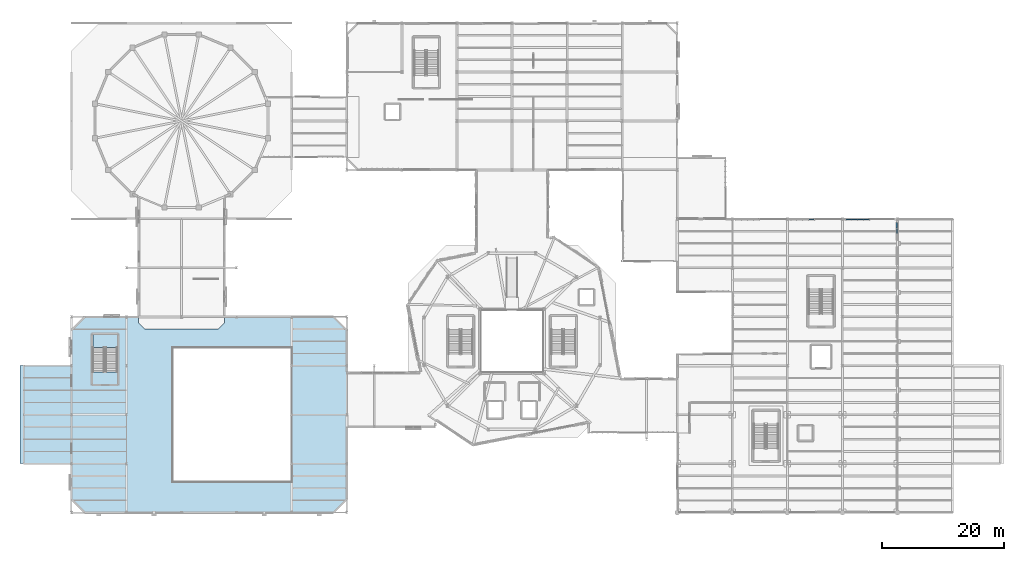
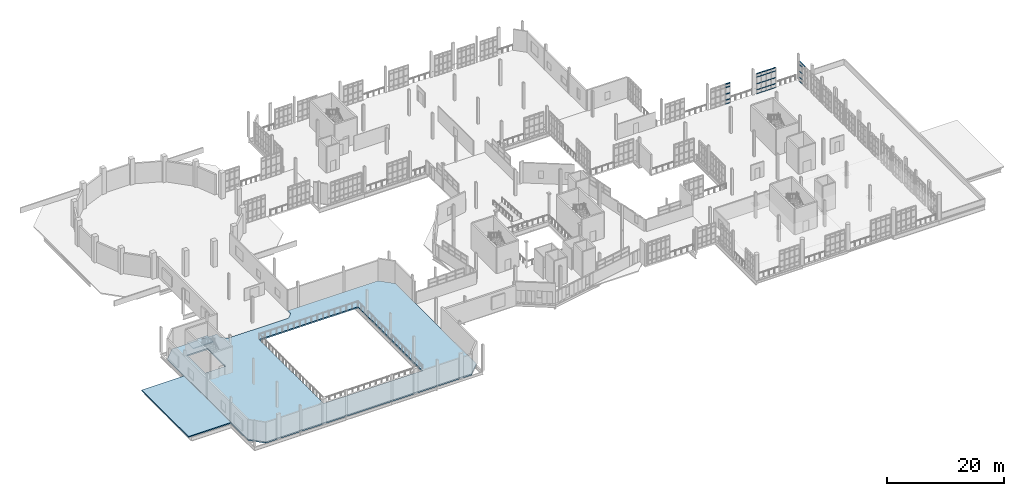
# One storey, part 102 of 142: 31 members, 3 slabs, 4 elements without a shape of their own.
"""IFC4 building model written with IfcOpenShell, lengths in metres."""

from ifc_helpers import new_model, si_unit, direction, frame, origin, origin_2d, place, context, subcontext, project, spatial, polyline, hollow_rectangle, outline, extrude, material, layer, layer_set, material_profile, profile_set, type_object, element, aggregate, save


model = new_model("IFC4")

# Units and contexts
model_context = context("Model", 3, precision=1e-05, world=origin(), true_north=direction((0.0, 1.0)))
body_context = subcontext(model_context, "Body", "Model", "MODEL_VIEW")
ifc_project = project(units=[si_unit("LENGTHUNIT", "METRE"), si_unit("AREAUNIT", "SQUARE_METRE"), si_unit("VOLUMEUNIT", "CUBIC_METRE"), si_unit("PLANEANGLEUNIT", "RADIAN"), si_unit("MASSUNIT", "GRAM", prefix="KILO"), si_unit("THERMODYNAMICTEMPERATUREUNIT", "KELVIN"), si_unit("POWERUNIT", "WATT")], contexts=[model_context])

# Site, building, storey
site_placement = place(None, origin())
site = spatial("IfcSite", under=ifc_project, at=site_placement, CompositionType="ELEMENT")
building_placement = place(site_placement, origin())
building = spatial("IfcBuilding", under=site, at=building_placement, Name="Zelmaris Science Centre", CompositionType="ELEMENT")
storey_placement = place(building_placement, frame((0.0, 0.0, 5.39990234375)))
storey = spatial("IfcBuildingStorey", under=building, at=storey_placement, Name="L01", CompositionType="ELEMENT", Elevation=5.39990234375)

# Curtain wall, members
ifc_material_1 = material(Name="Anodised architectural aluminium 6063-T6", Category="aluminium")
ifc_layer_1 = layer(ifc_material_1, 0.2099609375, Name="Anodised architectural aluminium 6063-T6")
ifc_layer_set_1 = layer_set([ifc_layer_1], Name="Anodised architectural aluminium 6063-T6")
curtain_wall_type_1 = type_object("IfcCurtainWallType", Name="Curtain Wall CW-03", PredefinedType="USERDEFINED", material=ifc_layer_set_1)
curtain_wall_1_placement = place(storey_placement, origin())
curtain_wall_1 = element("IfcCurtainWall", 1, at=curtain_wall_1_placement, inside=storey, type_object=curtain_wall_type_1, Name="L01 Unitised curtain wall 147", ObjectType="GLAZED CURTAIN WALL", PredefinedType="USERDEFINED")
ifc_material_profile_1 = material_profile(ifc_material_1, hollow_rectangle(XDim=0.06494140625, YDim=0.1298828125, WallThickness=0.00341796875, at=origin_2d()), Name="ALU-TRN-65X130")
ifc_profile_set_1 = profile_set([ifc_material_profile_1], Name="Anodised architectural aluminium 6063-T6")
member_type_1 = type_object("IfcMemberType", Name="ALU-TRN-65X130", PredefinedType="USERDEFINED", material=ifc_profile_set_1)
member_1_placement = place(storey_placement, frame((135.596923828125, 55.884033203125, 0.013671875), z_axis=(0.999999849301, -0.000548997996, 0.0), x_axis=(0.0, 0.0, 1.0)))
member_1 = element("IfcMember", 2, at=member_1_placement, type_object=member_type_1, Name="CW-03 transom 1.1", ObjectType="TRANSOM", PredefinedType="USERDEFINED", context=body_context, shape_type="SweptSolid", body=[
    extrude(hollow_rectangle(XDim=0.06494140625, YDim=0.1298828125, WallThickness=0.00341796875, at=origin_2d()), origin(), (0.0, 0.0, 1.0), 0.889404296875),
])
member_2_placement = place(storey_placement, frame((135.596923828125, 55.884033203125, 0.835205078125), z_axis=(0.999999849301, -0.000548997996, 0.0), x_axis=(0.0, 0.0, 1.0)))
member_2 = element("IfcMember", 3, at=member_2_placement, type_object=member_type_1, Name="CW-03 transom 1.2", ObjectType="TRANSOM", PredefinedType="USERDEFINED", context=body_context, shape_type="SweptSolid", body=[
    extrude(hollow_rectangle(XDim=0.06494140625, YDim=0.1298828125, WallThickness=0.00341796875, at=origin_2d()), origin(), (0.0, 0.0, 1.0), 0.889404296875),
])
member_3_placement = place(storey_placement, frame((135.596923828125, 55.884033203125, 2.085693359375), z_axis=(0.999999849301, -0.000548997996, 0.0), x_axis=(0.0, 0.0, 1.0)))
member_3 = element("IfcMember", 4, at=member_3_placement, type_object=member_type_1, Name="CW-03 transom 1.3", ObjectType="TRANSOM", PredefinedType="USERDEFINED", context=body_context, shape_type="SweptSolid", body=[
    extrude(hollow_rectangle(XDim=0.06494140625, YDim=0.1298828125, WallThickness=0.00341796875, at=origin_2d()), origin(), (0.0, 0.0, 1.0), 0.889404296875),
])
member_4_placement = place(storey_placement, frame((135.596923828125, 55.884033203125, 3.486083984375), z_axis=(0.999999849301, -0.000548997996, 0.0), x_axis=(0.0, 0.0, 1.0)))
member_4 = element("IfcMember", 5, at=member_4_placement, type_object=member_type_1, Name="CW-03 transom 1.4", ObjectType="TRANSOM", PredefinedType="USERDEFINED", context=body_context, shape_type="SweptSolid", body=[
    extrude(hollow_rectangle(XDim=0.06494140625, YDim=0.1298828125, WallThickness=0.00341796875, at=origin_2d()), origin(), (0.0, 0.0, 1.0), 0.889404296875),
])
member_5_placement = place(storey_placement, frame((135.596923828125, 55.884033203125, 4.15771484375), z_axis=(0.999999849301, -0.000548997996, 0.0), x_axis=(0.0, 0.0, 1.0)))
member_5 = element("IfcMember", 6, at=member_5_placement, type_object=member_type_1, Name="CW-03 transom 1.5", ObjectType="TRANSOM", PredefinedType="USERDEFINED", context=body_context, shape_type="SweptSolid", body=[
    extrude(hollow_rectangle(XDim=0.06494140625, YDim=0.1298828125, WallThickness=0.00341796875, at=origin_2d()), origin(), (0.0, 0.0, 1.0), 0.889404296875),
])
member_6_placement = place(storey_placement, frame((136.54345703125, 55.883544921875, 0.013671875), z_axis=(0.999999858533, -0.000531914818, 0.0), x_axis=(0.0, 0.0, 1.0)))
member_6 = element("IfcMember", 7, at=member_6_placement, type_object=member_type_1, Name="CW-03 transom 2.1", ObjectType="TRANSOM", PredefinedType="USERDEFINED", context=body_context, shape_type="SweptSolid", body=[
    extrude(hollow_rectangle(XDim=0.06494140625, YDim=0.1298828125, WallThickness=0.00341796875, at=origin_2d()), origin(), (0.0, 0.0, 1.0), 0.91796875),
])
member_7_placement = place(storey_placement, frame((136.54345703125, 55.883544921875, 0.835205078125), z_axis=(0.999999858533, -0.000531914818, 0.0), x_axis=(0.0, 0.0, 1.0)))
member_7 = element("IfcMember", 8, at=member_7_placement, type_object=member_type_1, Name="CW-03 transom 2.2", ObjectType="TRANSOM", PredefinedType="USERDEFINED", context=body_context, shape_type="SweptSolid", body=[
    extrude(hollow_rectangle(XDim=0.06494140625, YDim=0.1298828125, WallThickness=0.00341796875, at=origin_2d()), origin(), (0.0, 0.0, 1.0), 0.91796875),
])
member_8_placement = place(storey_placement, frame((136.54345703125, 55.883544921875, 2.085693359375), z_axis=(0.999999858533, -0.000531914818, 0.0), x_axis=(0.0, 0.0, 1.0)))
member_8 = element("IfcMember", 9, at=member_8_placement, type_object=member_type_1, Name="CW-03 transom 2.3", ObjectType="TRANSOM", PredefinedType="USERDEFINED", context=body_context, shape_type="SweptSolid", body=[
    extrude(hollow_rectangle(XDim=0.06494140625, YDim=0.1298828125, WallThickness=0.00341796875, at=origin_2d()), origin(), (0.0, 0.0, 1.0), 0.91796875),
])
member_9_placement = place(storey_placement, frame((136.54345703125, 55.883544921875, 3.486083984375), z_axis=(0.999999858533, -0.000531914818, 0.0), x_axis=(0.0, 0.0, 1.0)))
member_9 = element("IfcMember", 10, at=member_9_placement, type_object=member_type_1, Name="CW-03 transom 2.4", ObjectType="TRANSOM", PredefinedType="USERDEFINED", context=body_context, shape_type="SweptSolid", body=[
    extrude(hollow_rectangle(XDim=0.06494140625, YDim=0.1298828125, WallThickness=0.00341796875, at=origin_2d()), origin(), (0.0, 0.0, 1.0), 0.91796875),
])
member_10_placement = place(storey_placement, frame((136.54345703125, 55.883544921875, 4.15771484375), z_axis=(0.999999858533, -0.000531914818, 0.0), x_axis=(0.0, 0.0, 1.0)))
member_10 = element("IfcMember", 11, at=member_10_placement, type_object=member_type_1, Name="CW-03 transom 2.5", ObjectType="TRANSOM", PredefinedType="USERDEFINED", context=body_context, shape_type="SweptSolid", body=[
    extrude(hollow_rectangle(XDim=0.06494140625, YDim=0.1298828125, WallThickness=0.00341796875, at=origin_2d()), origin(), (0.0, 0.0, 1.0), 0.91796875),
])
member_11_placement = place(storey_placement, frame((137.518310546875, 55.883056640625, 0.013671875), z_axis=(0.999999858533, -0.000531914818, 0.0), x_axis=(0.0, 0.0, 1.0)))
member_11 = element("IfcMember", 12, at=member_11_placement, type_object=member_type_1, Name="CW-03 transom 3.1", ObjectType="TRANSOM", PredefinedType="USERDEFINED", context=body_context, shape_type="SweptSolid", body=[
    extrude(hollow_rectangle(XDim=0.06494140625, YDim=0.1298828125, WallThickness=0.00341796875, at=origin_2d()), origin(), (0.0, 0.0, 1.0), 0.91796875),
])
member_12_placement = place(storey_placement, frame((137.518310546875, 55.883056640625, 0.835205078125), z_axis=(0.999999858533, -0.000531914818, 0.0), x_axis=(0.0, 0.0, 1.0)))
member_12 = element("IfcMember", 13, at=member_12_placement, type_object=member_type_1, Name="CW-03 transom 3.2", ObjectType="TRANSOM", PredefinedType="USERDEFINED", context=body_context, shape_type="SweptSolid", body=[
    extrude(hollow_rectangle(XDim=0.06494140625, YDim=0.1298828125, WallThickness=0.00341796875, at=origin_2d()), origin(), (0.0, 0.0, 1.0), 0.91796875),
])
member_13_placement = place(storey_placement, frame((137.518310546875, 55.883056640625, 2.085693359375), z_axis=(0.999999858533, -0.000531914818, 0.0), x_axis=(0.0, 0.0, 1.0)))
member_13 = element("IfcMember", 14, at=member_13_placement, type_object=member_type_1, Name="CW-03 transom 3.3", ObjectType="TRANSOM", PredefinedType="USERDEFINED", context=body_context, shape_type="SweptSolid", body=[
    extrude(hollow_rectangle(XDim=0.06494140625, YDim=0.1298828125, WallThickness=0.00341796875, at=origin_2d()), origin(), (0.0, 0.0, 1.0), 0.91796875),
])
member_14_placement = place(storey_placement, frame((137.518310546875, 55.883056640625, 3.486083984375), z_axis=(0.999999858533, -0.000531914818, 0.0), x_axis=(0.0, 0.0, 1.0)))
member_14 = element("IfcMember", 15, at=member_14_placement, type_object=member_type_1, Name="CW-03 transom 3.4", ObjectType="TRANSOM", PredefinedType="USERDEFINED", context=body_context, shape_type="SweptSolid", body=[
    extrude(hollow_rectangle(XDim=0.06494140625, YDim=0.1298828125, WallThickness=0.00341796875, at=origin_2d()), origin(), (0.0, 0.0, 1.0), 0.91796875),
])
member_15_placement = place(storey_placement, frame((137.518310546875, 55.883056640625, 4.15771484375), z_axis=(0.999999858533, -0.000531914818, 0.0), x_axis=(0.0, 0.0, 1.0)))
member_15 = element("IfcMember", 16, at=member_15_placement, type_object=member_type_1, Name="CW-03 transom 3.5", ObjectType="TRANSOM", PredefinedType="USERDEFINED", context=body_context, shape_type="SweptSolid", body=[
    extrude(hollow_rectangle(XDim=0.06494140625, YDim=0.1298828125, WallThickness=0.00341796875, at=origin_2d()), origin(), (0.0, 0.0, 1.0), 0.91796875),
])
member_16_placement = place(storey_placement, frame((138.493408203125, 55.882568359375, 0.013671875), z_axis=(0.999999962325, -0.000274499029, 0.0), x_axis=(0.0, 0.0, 1.0)))
member_16 = element("IfcMember", 17, at=member_16_placement, type_object=member_type_1, Name="CW-03 transom 4.1", ObjectType="TRANSOM", PredefinedType="USERDEFINED", context=body_context, shape_type="SweptSolid", body=[
    extrude(hollow_rectangle(XDim=0.06494140625, YDim=0.1298828125, WallThickness=0.00341796875, at=origin_2d()), origin(), (0.0, 0.0, 1.0), 0.889404296875),
])
member_17_placement = place(storey_placement, frame((138.493408203125, 55.882568359375, 0.835205078125), z_axis=(0.999999962325, -0.000274499029, 0.0), x_axis=(0.0, 0.0, 1.0)))
member_17 = element("IfcMember", 18, at=member_17_placement, type_object=member_type_1, Name="CW-03 transom 4.2", ObjectType="TRANSOM", PredefinedType="USERDEFINED", context=body_context, shape_type="SweptSolid", body=[
    extrude(hollow_rectangle(XDim=0.06494140625, YDim=0.1298828125, WallThickness=0.00341796875, at=origin_2d()), origin(), (0.0, 0.0, 1.0), 0.889404296875),
])
member_18_placement = place(storey_placement, frame((138.493408203125, 55.882568359375, 2.085693359375), z_axis=(0.999999962325, -0.000274499029, 0.0), x_axis=(0.0, 0.0, 1.0)))
member_18 = element("IfcMember", 19, at=member_18_placement, type_object=member_type_1, Name="CW-03 transom 4.3", ObjectType="TRANSOM", PredefinedType="USERDEFINED", context=body_context, shape_type="SweptSolid", body=[
    extrude(hollow_rectangle(XDim=0.06494140625, YDim=0.1298828125, WallThickness=0.00341796875, at=origin_2d()), origin(), (0.0, 0.0, 1.0), 0.889404296875),
])
member_19_placement = place(storey_placement, frame((138.493408203125, 55.882568359375, 3.486083984375), z_axis=(0.999999962325, -0.000274499029, 0.0), x_axis=(0.0, 0.0, 1.0)))
member_19 = element("IfcMember", 20, at=member_19_placement, type_object=member_type_1, Name="CW-03 transom 4.4", ObjectType="TRANSOM", PredefinedType="USERDEFINED", context=body_context, shape_type="SweptSolid", body=[
    extrude(hollow_rectangle(XDim=0.06494140625, YDim=0.1298828125, WallThickness=0.00341796875, at=origin_2d()), origin(), (0.0, 0.0, 1.0), 0.889404296875),
])
member_20_placement = place(storey_placement, frame((138.493408203125, 55.882568359375, 4.15771484375), z_axis=(0.999999962325, -0.000274499029, 0.0), x_axis=(0.0, 0.0, 1.0)))
member_20 = element("IfcMember", 21, at=member_20_placement, type_object=member_type_1, Name="CW-03 transom 4.5", ObjectType="TRANSOM", PredefinedType="USERDEFINED", context=body_context, shape_type="SweptSolid", body=[
    extrude(hollow_rectangle(XDim=0.06494140625, YDim=0.1298828125, WallThickness=0.00341796875, at=origin_2d()), origin(), (0.0, 0.0, 1.0), 0.889404296875),
])
aggregate(curtain_wall_1, [member_1, member_2, member_3, member_4, member_5, member_6, member_7, member_8, member_9, member_10, member_11, member_12, member_13, member_14, member_15, member_16, member_17, member_18, member_19, member_20])

ifc_layer_2 = layer(ifc_material_1, 0.18994140625, Name="Anodised architectural aluminium 6063-T6")
ifc_layer_set_2 = layer_set([ifc_layer_2], Name="Anodised architectural aluminium 6063-T6")
curtain_wall_type_2 = type_object("IfcCurtainWallType", Name="Curtain Wall CW-01", PredefinedType="USERDEFINED", material=ifc_layer_set_2)
curtain_wall_2_placement = place(storey_placement, origin())
curtain_wall_2 = element("IfcCurtainWall", 22, at=curtain_wall_2_placement, inside=storey, type_object=curtain_wall_type_2, Name="L01 Unitised curtain wall 145", ObjectType="GLAZED CURTAIN WALL", PredefinedType="USERDEFINED")
ifc_material_profile_2 = material_profile(ifc_material_1, hollow_rectangle(XDim=0.080078125, YDim=0.18994140625, WallThickness=0.00439453125, at=origin_2d()), Name="ALU-TRN-80X190")
ifc_profile_set_2 = profile_set([ifc_material_profile_2], Name="Anodised architectural aluminium 6063-T6")
member_type_2 = type_object("IfcMemberType", Name="ALU-TRN-80X190", PredefinedType="USERDEFINED", material=ifc_profile_set_2)
member_21_placement = place(storey_placement, frame((129.5009765625, 55.886962890625, 0.02099609375), z_axis=(0.999999960348, -0.000281610803, 0.0), x_axis=(0.0, 0.0, 1.0)))
member_21 = element("IfcMember", 23, at=member_21_placement, type_object=member_type_2, Name="CW-01 transom 4.1", ObjectType="TRANSOM", PredefinedType="USERDEFINED", context=body_context, shape_type="SweptSolid", body=[
    extrude(hollow_rectangle(XDim=0.080078125, YDim=0.18994140625, WallThickness=0.00439453125, at=origin_2d()), origin(), (0.0, 0.0, 1.0), 0.866943359375),
])
member_22_placement = place(storey_placement, frame((129.5009765625, 55.886962890625, 0.835205078125), z_axis=(0.999999960348, -0.000281610803, 0.0), x_axis=(0.0, 0.0, 1.0)))
member_22 = element("IfcMember", 24, at=member_22_placement, type_object=member_type_2, Name="CW-01 transom 4.2", ObjectType="TRANSOM", PredefinedType="USERDEFINED", context=body_context, shape_type="SweptSolid", body=[
    extrude(hollow_rectangle(XDim=0.080078125, YDim=0.18994140625, WallThickness=0.00439453125, at=origin_2d()), origin(), (0.0, 0.0, 1.0), 0.866943359375),
])
member_23_placement = place(storey_placement, frame((129.5009765625, 55.886962890625, 2.0791015625), z_axis=(0.999999960348, -0.000281610803, 0.0), x_axis=(0.0, 0.0, 1.0)))
member_23 = element("IfcMember", 25, at=member_23_placement, type_object=member_type_2, Name="CW-01 transom 4.3", ObjectType="TRANSOM", PredefinedType="USERDEFINED", context=body_context, shape_type="SweptSolid", body=[
    extrude(hollow_rectangle(XDim=0.080078125, YDim=0.18994140625, WallThickness=0.00439453125, at=origin_2d()), origin(), (0.0, 0.0, 1.0), 0.866943359375),
])
member_24_placement = place(storey_placement, frame((129.5009765625, 55.886962890625, 3.47314453125), z_axis=(0.999999960348, -0.000281610803, 0.0), x_axis=(0.0, 0.0, 1.0)))
member_24 = element("IfcMember", 26, at=member_24_placement, type_object=member_type_2, Name="CW-01 transom 4.4", ObjectType="TRANSOM", PredefinedType="USERDEFINED", context=body_context, shape_type="SweptSolid", body=[
    extrude(hollow_rectangle(XDim=0.080078125, YDim=0.18994140625, WallThickness=0.00439453125, at=origin_2d()), origin(), (0.0, 0.0, 1.0), 0.866943359375),
])
member_25_placement = place(storey_placement, frame((129.5009765625, 55.886962890625, 4.13720703125), z_axis=(0.999999960348, -0.000281610803, 0.0), x_axis=(0.0, 0.0, 1.0)))
member_25 = element("IfcMember", 27, at=member_25_placement, type_object=member_type_2, Name="CW-01 transom 4.5", ObjectType="TRANSOM", PredefinedType="USERDEFINED", context=body_context, shape_type="SweptSolid", body=[
    extrude(hollow_rectangle(XDim=0.080078125, YDim=0.18994140625, WallThickness=0.00439453125, at=origin_2d()), origin(), (0.0, 0.0, 1.0), 0.866943359375),
])
aggregate(curtain_wall_2, [member_21, member_22, member_23, member_24, member_25])

curtain_wall_3_placement = place(storey_placement, origin())
curtain_wall_3 = element("IfcCurtainWall", 28, at=curtain_wall_3_placement, inside=storey, type_object=curtain_wall_type_2, Name="L01 Unitised curtain wall 149", ObjectType="GLAZED CURTAIN WALL", PredefinedType="USERDEFINED")
member_26_placement = place(storey_placement, frame((143.8798828125, 55.387939453125, 0.02099609375), z_axis=(0.0, -1.0, 0.0), x_axis=(0.0, 0.0, 1.0)))
member_26 = element("IfcMember", 29, at=member_26_placement, type_object=member_type_2, Name="CW-01 transom 1.1", ObjectType="TRANSOM", PredefinedType="USERDEFINED", context=body_context, shape_type="SweptSolid", body=[
    extrude(hollow_rectangle(XDim=0.080078125, YDim=0.18994140625, WallThickness=0.00439453125, at=origin_2d()), origin(), (0.0, 0.0, 1.0), 0.865234375),
])
member_27_placement = place(storey_placement, frame((143.8798828125, 55.387939453125, 0.835205078125), z_axis=(0.0, -1.0, 0.0), x_axis=(0.0, 0.0, 1.0)))
member_27 = element("IfcMember", 30, at=member_27_placement, type_object=member_type_2, Name="CW-01 transom 1.2", ObjectType="TRANSOM", PredefinedType="USERDEFINED", context=body_context, shape_type="SweptSolid", body=[
    extrude(hollow_rectangle(XDim=0.080078125, YDim=0.18994140625, WallThickness=0.00439453125, at=origin_2d()), origin(), (0.0, 0.0, 1.0), 0.865234375),
])
member_28_placement = place(storey_placement, frame((143.8798828125, 55.387939453125, 2.085693359375), z_axis=(0.0, -1.0, 0.0), x_axis=(0.0, 0.0, 1.0)))
member_28 = element("IfcMember", 31, at=member_28_placement, type_object=member_type_2, Name="CW-01 transom 1.3", ObjectType="TRANSOM", PredefinedType="USERDEFINED", context=body_context, shape_type="SweptSolid", body=[
    extrude(hollow_rectangle(XDim=0.080078125, YDim=0.18994140625, WallThickness=0.00439453125, at=origin_2d()), origin(), (0.0, 0.0, 1.0), 0.865234375),
])
member_29_placement = place(storey_placement, frame((143.8798828125, 55.387939453125, 3.486083984375), z_axis=(0.0, -1.0, 0.0), x_axis=(0.0, 0.0, 1.0)))
member_29 = element("IfcMember", 32, at=member_29_placement, type_object=member_type_2, Name="CW-01 transom 1.4", ObjectType="TRANSOM", PredefinedType="USERDEFINED", context=body_context, shape_type="SweptSolid", body=[
    extrude(hollow_rectangle(XDim=0.080078125, YDim=0.18994140625, WallThickness=0.00439453125, at=origin_2d()), origin(), (0.0, 0.0, 1.0), 0.865234375),
])
member_30_placement = place(storey_placement, frame((143.8798828125, 55.387939453125, 4.150146484375), z_axis=(0.0, -1.0, 0.0), x_axis=(0.0, 0.0, 1.0)))
member_30 = element("IfcMember", 33, at=member_30_placement, type_object=member_type_2, Name="CW-01 transom 1.5", ObjectType="TRANSOM", PredefinedType="USERDEFINED", context=body_context, shape_type="SweptSolid", body=[
    extrude(hollow_rectangle(XDim=0.080078125, YDim=0.18994140625, WallThickness=0.00439453125, at=origin_2d()), origin(), (0.0, 0.0, 1.0), 0.865234375),
])
member_31_placement = place(storey_placement, frame((143.8798828125, 54.45068359375, 4.150146484375), z_axis=(0.0, -1.0, 0.0), x_axis=(0.0, 0.0, 1.0)))
member_31 = element("IfcMember", 34, at=member_31_placement, type_object=member_type_2, Name="CW-01 transom 2.5", ObjectType="TRANSOM", PredefinedType="USERDEFINED", context=body_context, shape_type="SweptSolid", body=[
    extrude(hollow_rectangle(XDim=0.080078125, YDim=0.18994140625, WallThickness=0.00439453125, at=origin_2d()), origin(), (0.0, 0.0, 1.0), 0.9013671875),
])
aggregate(curtain_wall_3, [member_26, member_27, member_28, member_29, member_30, member_31])

# Slab
ifc_material_2 = material(Name="Concrete C35/45", Category="concrete")
ifc_layer_3 = layer(ifc_material_2, 0.280029296875, Name="Concrete C35/45")
ifc_layer_set_3 = layer_set([ifc_layer_3], Name="Concrete C35/45")
slab_type_1 = type_object("IfcSlabType", Name="Slab SL-FL280 280mm", PredefinedType="FLOOR", material=ifc_layer_set_3)
slab_1_placement = place(storey_placement, frame((0.0, 0.0, -0.27978515625)))
element("IfcSlab", 35, at=slab_1_placement, inside=storey, type_object=slab_type_1, Name="L01 Theatre upper tier and projection slab", PredefinedType="FLOOR", context=body_context, shape_type="SweptSolid", body=[
    extrude(outline(polyline([(51.800048828125, 40.0), (54.0, 37.800048828125), (54.0, 10.199951171875), (51.800048828125, 8.0), (11.199951171875, 8.0), (9.0, 10.199951171875), (9.0, 37.800048828125), (11.199951171875, 40.0), (20.00390625, 40.0), (20.00390625, 39.001708984375), (21.001708984375, 38.00390625), (32.998291015625, 38.00390625), (33.99609375, 39.001708984375), (33.99609375, 40.0), (51.800048828125, 40.0)]), holes=[polyline([(25.5, 13.0), (45.0, 13.0), (45.0, 35.0), (25.5, 35.0), (25.5, 13.0)]), polyline([(16.5, 30.969970703125), (16.5, 37.10009765625), (12.5, 37.10009765625), (12.5, 30.969970703125), (16.5, 30.969970703125)])]), origin(), (0.0, 0.0, 1.0), 0.27978515625),
])

# Stair, slab
ifc_material_3 = material(Name="Concrete C40/50", Category="concrete")
stair_type = type_object("IfcStairType", Name="Exit Stair ST-A W1900", PredefinedType="HALF_TURN_STAIR", material=ifc_material_3)
stair_placement = place(storey_placement, origin())
stair = element("IfcStair", 36, at=stair_placement, inside=storey, type_object=stair_type, Name="L01 Exit Stair Core ST-6", PredefinedType="HALF_TURN_STAIR")
ifc_layer_4 = layer(ifc_material_2, 0.18994140625, Name="Concrete C35/45")
ifc_layer_set_4 = layer_set([ifc_layer_4], Name="Concrete C35/45")
slab_type_2 = type_object("IfcSlabType", Name="Slab SL-LD190 190mm", PredefinedType="LANDING", material=ifc_layer_set_4)
slab_2_placement = place(storey_placement, frame((0.0, 0.0, 2.510009765625)))
slab_2 = element("IfcSlab", 37, at=slab_2_placement, type_object=slab_type_2, Name="ST-6 landing 1", PredefinedType="LANDING", context=body_context, shape_type="SweptSolid", body=[
    extrude(outline(polyline([(16.5, 35.010009765625), (16.5, 37.10009765625), (12.5, 37.10009765625), (12.5, 35.010009765625), (16.5, 35.010009765625)])), origin(), (0.0, 0.0, 1.0), 0.190185546875),
])
aggregate(stair, [slab_2])

# Slab
ifc_layer_5 = layer(ifc_material_2, 0.22998046875, Name="Concrete C35/45")
ifc_layer_set_5 = layer_set([ifc_layer_5], Name="Concrete C35/45")
slab_type_3 = type_object("IfcSlabType", Name="Slab SL-RF230 230mm", PredefinedType="ROOF", material=ifc_layer_set_5)
slab_3_placement = place(storey_placement, frame((0.0, 0.0, -0.22998046875)))
element("IfcSlab", 38, at=slab_3_placement, inside=storey, type_object=slab_type_3, Name="L01 West portico roof slab", PredefinedType="ROOF", context=body_context, shape_type="SweptSolid", body=[
    extrude(outline(polyline([(0.60009765625, 16.0), (0.60009765625, 32.0), (8.989990234375, 32.0), (8.989990234375, 16.0), (0.60009765625, 16.0)])), origin(), (0.0, 0.0, 1.0), 0.22998046875),
])

save(model, "model.ifc")
